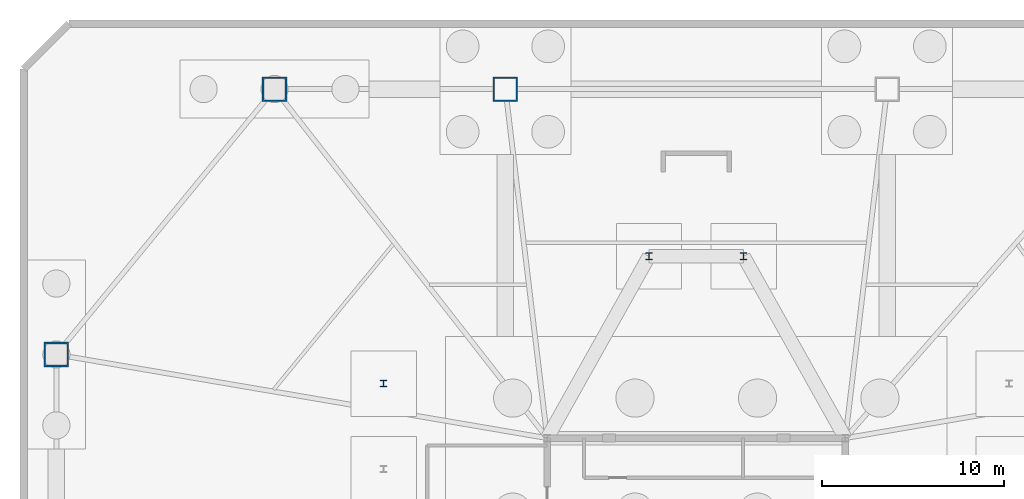
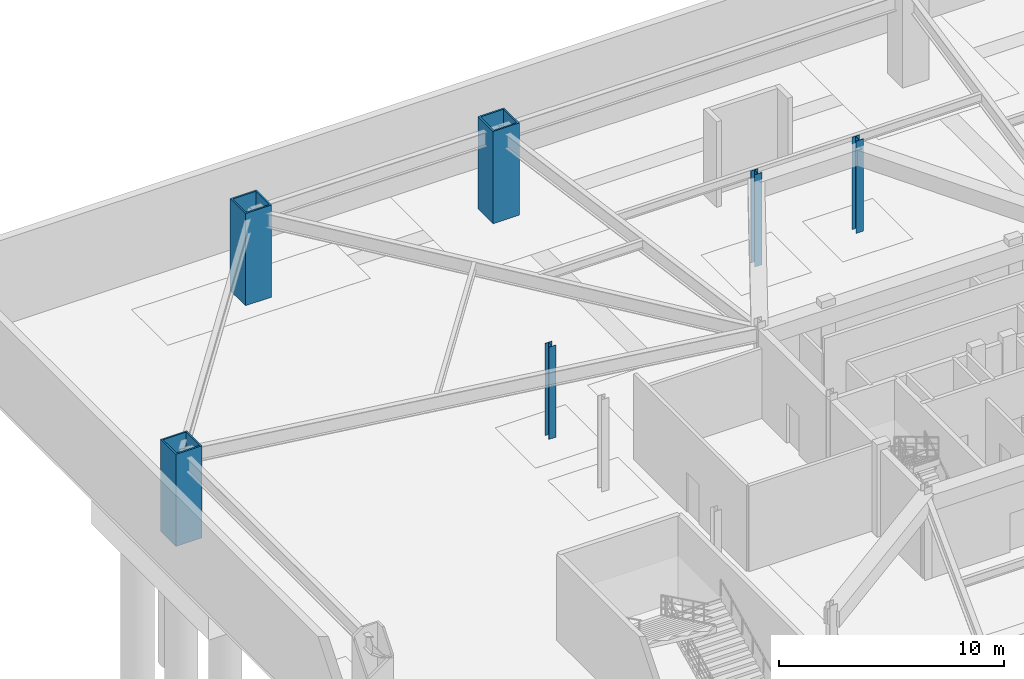
# One storey, part 4 of 12: 6 columns.
"""IFC4 building model written with IfcOpenShell, lengths in metres."""

from ifc_helpers import new_model, si_unit, direction, frame, origin, origin_2d, place, context, subcontext, project, spatial, hollow_rectangle, i_section, extrude, material, material_profile, profile_set, type_object, element, save


model = new_model("IFC4")

# Units and contexts
model_context = context("Model", 3, precision=1e-05, world=origin(), true_north=direction((0.0, 1.0)))
body_context = subcontext(model_context, "Body", "Model", "MODEL_VIEW")
ifc_project = project(units=[si_unit("LENGTHUNIT", "METRE"), si_unit("AREAUNIT", "SQUARE_METRE"), si_unit("VOLUMEUNIT", "CUBIC_METRE"), si_unit("PLANEANGLEUNIT", "RADIAN"), si_unit("MASSUNIT", "GRAM", prefix="KILO")], contexts=[model_context])

# Site, building, storey
site_placement = place(None, origin())
site = spatial("IfcSite", under=ifc_project, at=site_placement, CompositionType="ELEMENT")
building_placement = place(site_placement, origin())
building = spatial("IfcBuilding", under=site, at=building_placement, Name="Varakhsha Concourse Tower", CompositionType="ELEMENT")
storey_placement = place(building_placement, frame((0.0, 0.0, -10.0)))
storey = spatial("IfcBuildingStorey", under=building, at=storey_placement, Name="B02", CompositionType="ELEMENT", Elevation=-10.0)

# Columns
ifc_material_1 = material(Name="Structural Steel ASTM A992 Grade 50", Category="steel")
ifc_material_profile_1 = material_profile(ifc_material_1, i_section(OverallWidth=0.3740234375, OverallDepth=0.3720703125, WebThickness=0.01611328125, FlangeThickness=0.02587890625, at=origin_2d()), Name="W14X132")
ifc_profile_set_1 = profile_set([ifc_material_profile_1], Name="Structural Steel ASTM A992 Grade 50")
column_type_1 = type_object("IfcColumnType", Name="CL-CORE-W14X132", PredefinedType="COLUMN", material=ifc_profile_set_1)
for number, where, z_axis, x_axis, name in (
    (1, (37.39990234375, 41.199951171875, 0.0), (0.0, 0.0, 1.0), (1.0, 0.0, 0.0), "B02 Core Column NS-W"),
    (2, (42.60009765625, 41.199951171875, 0.0), (0.0, 0.0, 1.0), (1.0, 0.0, 0.0), "B02 Core Column NS-E"),
):
    element("IfcColumn", number, at=place(storey_placement, frame(where, z_axis=z_axis, x_axis=x_axis)), inside=storey, type_object=column_type_1, Name=name, PredefinedType="COLUMN", context=body_context, shape_type="SweptSolid", body=[
        extrude(i_section(OverallWidth=0.3740234375, OverallDepth=0.3720703125, WebThickness=0.01611328125, FlangeThickness=0.02587890625, at=origin_2d()), origin(), (0.0, 0.0, 1.0), 5.0),
    ])
ifc_material_profile_2 = material_profile(ifc_material_1, i_section(OverallWidth=0.368896484375, OverallDepth=0.35595703125, WebThickness=0.010986328125, FlangeThickness=0.01806640625, at=origin_2d()), Name="W14X90")
ifc_profile_set_2 = profile_set([ifc_material_profile_2], Name="Structural Steel ASTM A992 Grade 50")
column_type_2 = type_object("IfcColumnType", Name="CL-POD-W14X90", PredefinedType="COLUMN", material=ifc_profile_set_2)
column_placement = place(storey_placement, frame((22.800048828125, 34.199951171875, 0.0), z_axis=(0.0, 0.0, 1.0), x_axis=(1.0, 0.0, 0.0)))
element("IfcColumn", 3, at=column_placement, inside=storey, type_object=column_type_2, Name="B02 Substructure Column AUX-S1", PredefinedType="COLUMN", context=body_context, shape_type="SweptSolid", body=[
    extrude(i_section(OverallWidth=0.368896484375, OverallDepth=0.35595703125, WebThickness=0.010986328125, FlangeThickness=0.01806640625, at=origin_2d()), origin(), (0.0, 0.0, 1.0), 5.0),
])
ifc_material_2 = material(Name="Structural Steel ASTM A572 Grade 50", Category="steel")
ifc_material_profile_3 = material_profile(ifc_material_2, hollow_rectangle(XDim=1.35009765625, YDim=1.35009765625, WallThickness=0.0849609375, at=origin_2d()), Name="BOX 1350x1350x85")
ifc_profile_set_3 = profile_set([ifc_material_profile_3], Name="Structural Steel ASTM A572 Grade 50")
column_type_3 = type_object("IfcColumnType", Name="CL-STILT-1350", PredefinedType="COLUMN", material=ifc_profile_set_3)
for number, where, z_axis, x_axis, name in (
    (4, (4.800048828125, 35.800048828125, 0.0), (0.0, 0.0, 1.0), (1.0, 0.0, 0.0), "B02 Podium Mega-Column PC-W2"),
    (5, (16.800048828125, 50.39990234375, 0.0), (0.0, 0.0, 1.0), (1.0, 0.0, 0.0), "B02 Podium Mega-Column PC-N1"),
    (6, (29.5, 50.39990234375, 0.0), (0.0, 0.0, 1.0), (1.0, 0.0, 0.0), "B02 Podium Mega-Column PC-N2"),
):
    element("IfcColumn", number, at=place(storey_placement, frame(where, z_axis=z_axis, x_axis=x_axis)), inside=storey, type_object=column_type_3, Name=name, PredefinedType="COLUMN", context=body_context, shape_type="SweptSolid", body=[
        extrude(hollow_rectangle(XDim=1.35009765625, YDim=1.35009765625, WallThickness=0.0849609375, at=origin_2d()), origin(), (0.0, 0.0, 1.0), 5.0),
    ])

save(model, "model.ifc")
